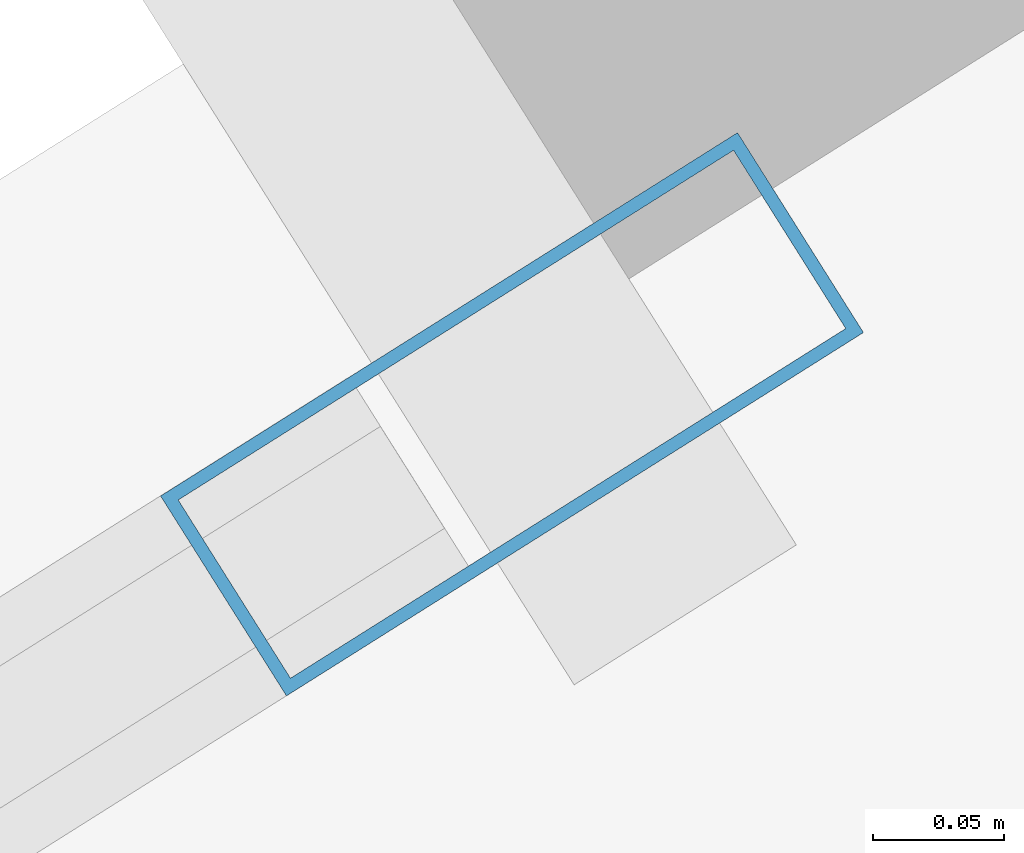
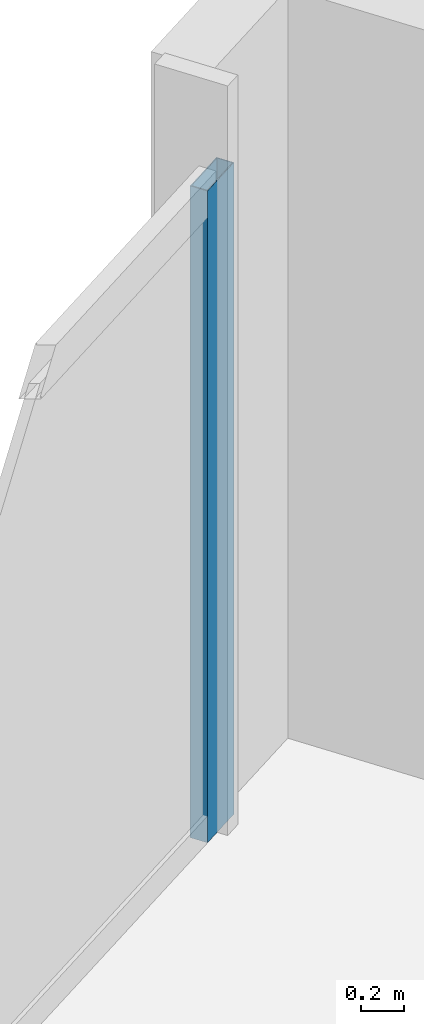
# One storey, part 19 of 29: 1 member, 1 element without a shape of its own.
"""IFC4 building model written with IfcOpenShell, lengths in metres."""

from ifc_helpers import new_model, si_unit, direction, frame, origin, origin_2d, place, context, subcontext, project, spatial, hollow_rectangle, extrude, material, material_profile, profile_set, type_object, element, aggregate, save


model = new_model("IFC4")

# Units and contexts
model_context = context("Model", 3, precision=1e-05, world=origin(), true_north=direction((0.0, 1.0)))
body_context = subcontext(model_context, "Body", "Model", "MODEL_VIEW")
ifc_project = project(units=[si_unit("LENGTHUNIT", "METRE"), si_unit("AREAUNIT", "SQUARE_METRE"), si_unit("VOLUMEUNIT", "CUBIC_METRE"), si_unit("PLANEANGLEUNIT", "RADIAN"), si_unit("MASSUNIT", "GRAM", prefix="KILO")], contexts=[model_context])

# Site, building, storey
site_placement = place(None, origin())
site = spatial("IfcSite", under=ifc_project, at=site_placement, CompositionType="ELEMENT")
building_placement = place(site_placement, origin())
building = spatial("IfcBuilding", under=site, at=building_placement, Name="Haldenkirk Collegiate Tower", CompositionType="ELEMENT")
storey_placement = place(building_placement, frame((0.0, 0.0, 136.199951171875)))
storey = spatial("IfcBuildingStorey", under=building, at=storey_placement, Name="L33", CompositionType="ELEMENT", Elevation=136.199951171875)

# Curtain wall, member
ifc_material = material(Name="Anodised architectural bronze aluminium", Category="aluminium")
curtain_wall_type = type_object("IfcCurtainWallType", Name="CW-SYS4-SKYGARDEN", PredefinedType="USERDEFINED", material=ifc_material)
curtain_wall_placement = place(storey_placement, origin())
curtain_wall = element("IfcCurtainWall", 1, at=curtain_wall_placement, inside=storey, type_object=curtain_wall_type, Name="L33 Sky-garden tall bronze curtain wall", ObjectType="UNITISED CURTAIN WALL", PredefinedType="USERDEFINED")
ifc_material_profile = material_profile(ifc_material, hollow_rectangle(XDim=0.090087890625, YDim=0.260009765625, WallThickness=0.0048828125, at=origin_2d()), Name="CW-MUL-04")
ifc_profile_set = profile_set([ifc_material_profile], Name="Anodised architectural bronze aluminium")
member_type = type_object("IfcMemberType", Name="CW-MUL-04", PredefinedType="MULLION", material=ifc_profile_set)
member_placement = place(storey_placement, frame((40.552978515625, 56.780517578125, 0.0), z_axis=(0.0, 0.0, 1.0), x_axis=(-0.532877157609, 0.846192610993, 0.0)))
member = element("IfcMember", 2, at=member_placement, type_object=member_type, Name="CW-04 mullion 5", PredefinedType="MULLION", context=body_context, shape_type="SweptSolid", body=[
    extrude(hollow_rectangle(XDim=0.090087890625, YDim=0.260009765625, WallThickness=0.0048828125, at=origin_2d()), origin(), (0.0, 0.0, 1.0), 3.6611328125),
])
aggregate(curtain_wall, [member])

save(model, "model.ifc")
